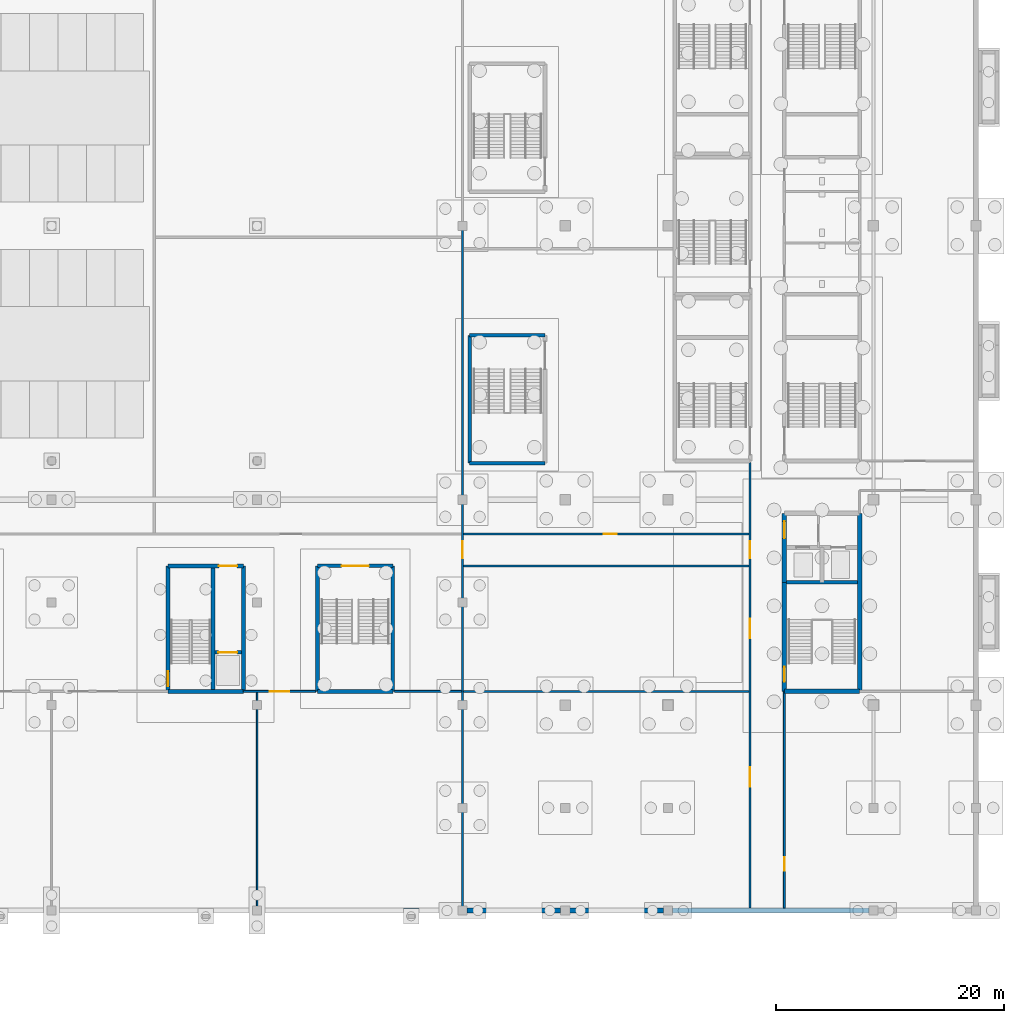
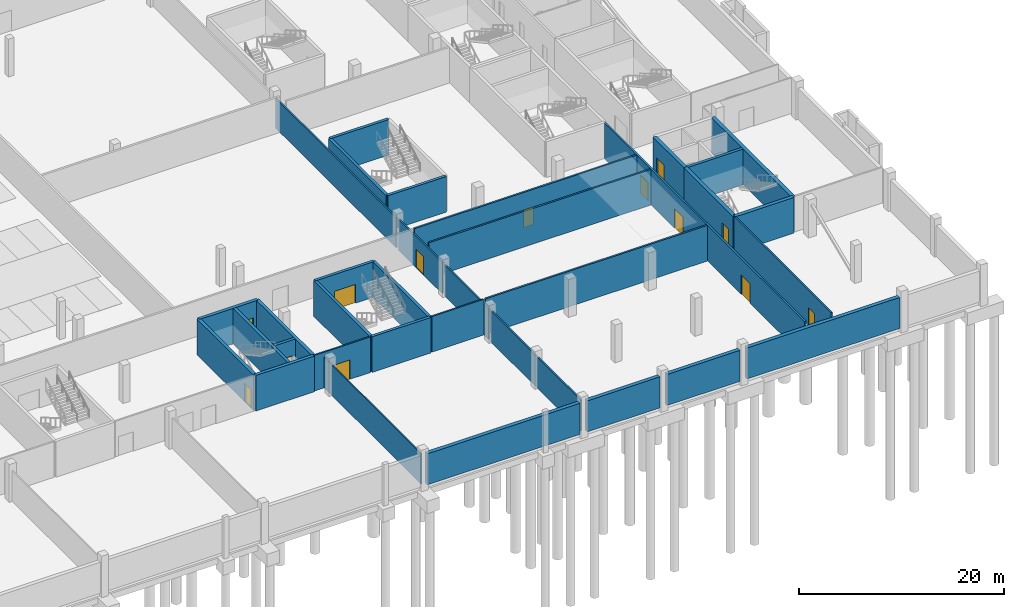
# One storey, part 21 of 46: 34 walls, 13 doors, 13 openings.
"""IFC4 building model written with IfcOpenShell, lengths in metres."""

from ifc_helpers import new_model, si_unit, direction, frame, frame_2d, origin, place, context, subcontext, project, spatial, rectangle, extrude, material, layer, layer_set, type_object, element, fill, save


model = new_model("IFC4")

# Units and contexts
model_context = context("Model", 3, precision=1e-05, world=origin(), true_north=direction((0.0, 1.0)))
body_context = subcontext(model_context, "Body", "Model", "MODEL_VIEW")
ifc_project = project(units=[si_unit("LENGTHUNIT", "METRE"), si_unit("AREAUNIT", "SQUARE_METRE"), si_unit("VOLUMEUNIT", "CUBIC_METRE"), si_unit("PLANEANGLEUNIT", "RADIAN"), si_unit("MASSUNIT", "GRAM", prefix="KILO")], contexts=[model_context])

# Site, building, storey
site_placement = place(None, origin())
site = spatial("IfcSite", under=ifc_project, at=site_placement, CompositionType="ELEMENT")
building_placement = place(site_placement, origin())
building = spatial("IfcBuilding", under=site, at=building_placement, Name="Kisiwana Market Hall", CompositionType="ELEMENT")
storey_placement = place(building_placement, frame((0.0, 0.0, -4.5)))
storey = spatial("IfcBuildingStorey", under=building, at=storey_placement, Name="B1", CompositionType="ELEMENT", Elevation=-4.5)

# Walls
ifc_material_1 = material(Name="Concrete C40/50", Category="concrete")
ifc_layer_1 = layer(ifc_material_1, 0.360107421875, Name="Waterproofed RC retaining wall")
ifc_material_2 = material(Name="Mineral wool insulation")
ifc_layer_2 = layer(ifc_material_2, 0.06005859375, Name="XPS drainage protection board")
ifc_layer_set_1 = layer_set([ifc_layer_1, ifc_layer_2], Name="WL-B1-RET-420")
wall_type_1 = type_object("IfcWallType", Name="WL-B1-RET-420", PredefinedType="STANDARD", material=ifc_layer_set_1)
wall_1_placement = place(storey_placement, frame((135.39208984375, 0.0, 0.0), z_axis=(0.0, 0.0, 1.0), x_axis=(1.0, 0.0, 0.0)))
element("IfcWall", 1, at=wall_1_placement, inside=storey, type_object=wall_type_1, Name="Exterior wall W-0164", PredefinedType="STANDARD", context=body_context, shape_type="SweptSolid", body=[
    extrude(rectangle(XDim=17.2158203125, YDim=0.419921875, at=frame_2d((8.60791015625, 0.0))), origin(), (0.0, 0.0, 1.0), 3.699951171875),
])
for number, where, z_axis, x_axis, name in (
    (2, (153.39208984375, 0.0, 0.0), (0.0, 0.0, 1.0), (1.0, 0.0, 0.0), "Exterior wall W-0165"),
    (3, (162.39208984375, 0.0, 0.0), (0.0, 0.0, 1.0), (1.0, 0.0, 0.0), "Exterior wall W-0166"),
):
    element("IfcWall", number, at=place(storey_placement, frame(where, z_axis=z_axis, x_axis=x_axis)), inside=storey, type_object=wall_type_1, Name=name, PredefinedType="STANDARD", context=body_context, shape_type="SweptSolid", body=[
        extrude(rectangle(XDim=8.2158203125, YDim=0.419921875, at=frame_2d((4.10791015625, 0.0))), origin(), (0.0, 0.0, 1.0), 3.699951171875),
    ])
wall_2_placement = place(storey_placement, frame((171.39208984375, 0.0, 0.0), z_axis=(0.0, 0.0, 1.0), x_axis=(1.0, 0.0, 0.0)))
element("IfcWall", 4, at=wall_2_placement, inside=storey, type_object=wall_type_1, Name="Exterior wall W-0167", PredefinedType="STANDARD", context=body_context, shape_type="SweptSolid", body=[
    extrude(rectangle(XDim=17.2158203125, YDim=0.419921875, at=frame_2d((8.60791015625, 0.0))), origin(), (0.0, 0.0, 1.0), 3.699951171875),
])
ifc_material_3 = material(Name="Masonry blockwork", Category="masonry")
ifc_layer_3 = layer(ifc_material_3, 0.199951171875, Name="Plastered fire compartment block wall")
ifc_layer_set_2 = layer_set([ifc_layer_3], Name="WL-COMP-200")
wall_type_2 = type_object("IfcWallType", Name="WL-COMP-200", PredefinedType="PARTITIONING", material=ifc_layer_set_2)
for number, where, z_axis, x_axis, name in (
    (5, (153.0849609375, 19.199951171875, 0.0), (0.0, 0.0, 1.0), (1.0, 0.0, 0.0), "Interior partition W-0251"),
    (6, (153.0849609375, 30.199951171875, 0.0), (0.0, 0.0, 1.0), (1.0, 0.0, 0.0), "Interior partition W-0252"),
):
    element("IfcWall", number, at=place(storey_placement, frame(where, z_axis=z_axis, x_axis=x_axis)), inside=storey, type_object=wall_type_2, Name=name, PredefinedType="PARTITIONING", context=body_context, shape_type="SweptSolid", body=[
        extrude(rectangle(XDim=25.01513671875, YDim=0.199951171875, at=frame_2d((12.507568359375, 0.0))), origin(), (0.0, 0.0, 1.0), 4.239990234375),
    ])

# Wall, opening, door
wall_3_placement = place(storey_placement, frame((153.0849609375, 33.0, 0.0), z_axis=(0.0, 0.0, 1.0), x_axis=(1.0, 0.0, 0.0)))
wall_3 = element("IfcWall", 7, at=wall_3_placement, inside=storey, type_object=wall_type_2, Name="Interior partition W-0253", PredefinedType="PARTITIONING", context=body_context, shape_type="SweptSolid", body=[
    extrude(rectangle(XDim=25.01513671875, YDim=0.199951171875, at=frame_2d((12.507568359375, 0.0))), origin(), (0.0, 0.0, 1.0), 4.239990234375),
])
opening_1_placement = place(wall_3_placement, frame((12.294921875, 0.0, 0.0)))
opening_1 = element("IfcOpeningElement", 8, at=opening_1_placement, cuts=wall_3, Name="Opening DR-B1-068", PredefinedType="OPENING", context=body_context, shape_type="SweptSolid", body=[
    extrude(rectangle(XDim=1.14990234375, YDim=2.14990234375, at=frame_2d((0.574951171875, 1.074951171875))), frame((0.0, 0.11181640625, 0.0), z_axis=(0.0, -1.0, 0.0), x_axis=(1.0, 0.0, 0.0)), (0.0, 0.0, 1.0), 0.223876953125),
])
ifc_material_4 = material(Name="Aluminium alloy 6063-T6", Category="aluminium")
door_type_1 = type_object("IfcDoorType", Name="DR-MEET-1150", OperationType="NOTDEFINED", PredefinedType="DOOR", material=ifc_material_4)
door_1_placement = place(opening_1_placement, origin())
door_1 = element("IfcDoor", 9, at=door_1_placement, inside=storey, type_object=door_type_1, Name="B1 E Lower Ground Shop C Door", OperationType="SINGLE_SWING_RIGHT", OverallHeight=2.14990234375, OverallWidth=1.14990234375, PredefinedType="DOOR", context=body_context, shape_type="SweptSolid", body=[
    extrude(rectangle(XDim=1.14990234375, YDim=2.14990234375, at=frame_2d((0.574951171875, 1.074951171875))), frame((0.0, 0.02490234375, 0.0), z_axis=(0.0, -1.0, 0.0), x_axis=(1.0, 0.0, 0.0)), (0.0, 0.0, 1.0), 0.050048828125),
])
fill(opening_1, door_1)

# Wall, openings, doors
wall_4_placement = place(storey_placement, frame((178.199951171875, 0.2099609375, 0.0), z_axis=(0.0, 0.0, 1.0), x_axis=(0.0, 1.0, 0.0)))
wall_4 = element("IfcWall", 10, at=wall_4_placement, inside=storey, type_object=wall_type_2, Name="Interior partition W-0258", PredefinedType="PARTITIONING", context=body_context, shape_type="SweptSolid", body=[
    extrude(rectangle(XDim=39.030029296875, YDim=0.199951171875, at=frame_2d((19.51513671875, 0.0))), origin(), (0.0, 0.0, 1.0), 4.239990234375),
])
opening_2_placement = place(wall_4_placement, frame((10.639892578125, 0.0, 0.0)))
opening_2 = element("IfcOpeningElement", 11, at=opening_2_placement, cuts=wall_4, Name="Opening DR-B1-069", PredefinedType="OPENING", context=body_context, shape_type="SweptSolid", body=[
    extrude(rectangle(XDim=1.699951171875, YDim=2.300048828125, at=frame_2d((0.85009765625, 1.14990234375))), frame((0.0, 0.11181640625, 0.0), z_axis=(0.0, -1.0, 0.0), x_axis=(1.0, 0.0, 0.0)), (0.0, 0.0, 1.0), 0.223876953125),
])
opening_3_placement = place(wall_4_placement, frame((23.639892578125, 0.0, 0.0)))
opening_3 = element("IfcOpeningElement", 12, at=opening_3_placement, cuts=wall_4, Name="Opening DR-B1-070", PredefinedType="OPENING", context=body_context, shape_type="SweptSolid", body=[
    extrude(rectangle(XDim=1.699951171875, YDim=2.300048828125, at=frame_2d((0.85009765625, 1.14990234375))), frame((0.0, 0.11181640625, 0.0), z_axis=(0.0, -1.0, 0.0), x_axis=(1.0, 0.0, 0.0)), (0.0, 0.0, 1.0), 0.223876953125),
])
opening_4_placement = place(wall_4_placement, frame((30.639892578125, 0.0, 0.0)))
opening_4 = element("IfcOpeningElement", 13, at=opening_4_placement, cuts=wall_4, Name="Opening DR-B1-071", PredefinedType="OPENING", context=body_context, shape_type="SweptSolid", body=[
    extrude(rectangle(XDim=1.5, YDim=2.199951171875, at=frame_2d((0.75, 1.10009765625))), frame((0.0, 0.11181640625, 0.0), z_axis=(0.0, -1.0, 0.0), x_axis=(1.0, 0.0, 0.0)), (0.0, 0.0, 1.0), 0.223876953125),
])
ifc_material_5 = material(Name="Steel S275", Category="steel")
door_type_2 = type_object("IfcDoorType", Name="DR-CORR-FD60-1500", OperationType="DOUBLE_DOOR_SINGLE_SWING", PredefinedType="DOOR", material=ifc_material_5)
door_2_placement = place(opening_4_placement, origin())
door_2 = element("IfcDoor", 14, at=door_2_placement, inside=storey, type_object=door_type_2, Name="B1 E South Concourse Link Corridor Door", OperationType="DOUBLE_DOOR_SINGLE_SWING", OverallHeight=2.199951171875, OverallWidth=1.5, PredefinedType="DOOR", context=body_context, shape_type="SweptSolid", body=[
    extrude(rectangle(XDim=1.5, YDim=2.199951171875, at=frame_2d((0.75, 1.10009765625))), frame((0.0, 0.02490234375, 0.0), z_axis=(0.0, -1.0, 0.0), x_axis=(1.0, 0.0, 0.0)), (0.0, 0.0, 1.0), 0.050048828125),
])
fill(opening_4, door_2)
ifc_material_6 = material(Name="Aluminium alloy 6063-T6", Category="aluminium")
door_type_3 = type_object("IfcDoorType", Name="DR-SHOP-1700", OperationType="DOUBLE_DOOR_SINGLE_SWING", PredefinedType="DOOR", material=ifc_material_6)
door_3_placement = place(opening_2_placement, origin())
door_3 = element("IfcDoor", 15, at=door_3_placement, inside=storey, type_object=door_type_3, Name="B1 E Lower Ground Shop A Door", OperationType="DOUBLE_DOOR_SINGLE_SWING", OverallHeight=2.300048828125, OverallWidth=1.699951171875, PredefinedType="DOOR", context=body_context, shape_type="SweptSolid", body=[
    extrude(rectangle(XDim=1.699951171875, YDim=2.300048828125, at=frame_2d((0.85009765625, 1.14990234375))), frame((0.0, 0.02490234375, 0.0), z_axis=(0.0, -1.0, 0.0), x_axis=(1.0, 0.0, 0.0)), (0.0, 0.0, 1.0), 0.050048828125),
])
fill(opening_2, door_3)
door_4_placement = place(opening_3_placement, origin())
door_4 = element("IfcDoor", 16, at=door_4_placement, inside=storey, type_object=door_type_3, Name="B1 E Lower Ground Shop B Door", OperationType="DOUBLE_DOOR_SINGLE_SWING", OverallHeight=2.300048828125, OverallWidth=1.699951171875, PredefinedType="DOOR", context=body_context, shape_type="SweptSolid", body=[
    extrude(rectangle(XDim=1.699951171875, YDim=2.300048828125, at=frame_2d((0.85009765625, 1.14990234375))), frame((0.0, 0.02490234375, 0.0), z_axis=(0.0, -1.0, 0.0), x_axis=(1.0, 0.0, 0.0)), (0.0, 0.0, 1.0), 0.050048828125),
])
fill(opening_3, door_4)

# Walls
ifc_material_7 = material(Name="Concrete C40/50", Category="concrete")
ifc_layer_4 = layer(ifc_material_7, 0.320068359375, Name="Reinforced concrete shaft wall")
ifc_layer_set_3 = layer_set([ifc_layer_4], Name="WL-CORE-320")
wall_type_3 = type_object("IfcWallType", Name="WL-CORE-320", PredefinedType="SHEAR", material=ifc_layer_set_3)
wall_5_placement = place(storey_placement, frame((181.39990234375, 28.760009765625, 0.0), z_axis=(0.0, 0.0, 1.0), x_axis=(1.0, 0.0, 0.0)))
element("IfcWall", 17, at=wall_5_placement, inside=storey, type_object=wall_type_3, Name="Core E2 shaft back shear wall W-0024", PredefinedType="SHEAR", context=body_context, shape_type="SweptSolid", body=[
    extrude(rectangle(XDim=6.2001953125, YDim=0.320068359375, at=frame_2d((3.10009765625, 0.0))), origin(), (0.0, 0.0, 1.0), 4.239990234375),
])
wall_6_placement = place(storey_placement, frame((131.139892578125, 19.3798828125, 0.0), z_axis=(0.0, 0.0, 1.0), x_axis=(0.0, 1.0, 0.0)))
element("IfcWall", 18, at=wall_6_placement, inside=storey, type_object=wall_type_3, Name="Core S2 shaft divider W-0046", PredefinedType="SHEAR", context=body_context, shape_type="SweptSolid", body=[
    extrude(rectangle(XDim=10.64013671875, YDim=0.320068359375, at=frame_2d((5.320068359375, 0.0))), origin(), (0.0, 0.0, 1.0), 4.239990234375),
])

# Wall, opening, door
wall_7_placement = place(storey_placement, frame((131.300048828125, 22.6298828125, 0.0), z_axis=(0.0, 0.0, 1.0), x_axis=(1.0, 0.0, 0.0)))
wall_7 = element("IfcWall", 19, at=wall_7_placement, inside=storey, type_object=wall_type_3, Name="Core S2 goods lift front wall W-0047", PredefinedType="SHEAR", context=body_context, shape_type="SweptSolid", body=[
    extrude(rectangle(XDim=2.320068359375, YDim=0.320068359375, at=frame_2d((1.16015625, 0.0))), origin(), (0.0, 0.0, 1.0), 4.239990234375),
])
opening_5_placement = place(wall_7_placement, frame((0.300048828125, 0.0, 0.0)))
opening_5 = element("IfcOpeningElement", 20, at=opening_5_placement, cuts=wall_7, Name="Opening LD-B1-009", PredefinedType="OPENING", context=body_context, shape_type="SweptSolid", body=[
    extrude(rectangle(XDim=1.64990234375, YDim=2.35009765625, at=frame_2d((0.824951171875, 1.175048828125))), frame((0.0, 0.171875, 0.0), z_axis=(0.0, -1.0, 0.0), x_axis=(1.0, 0.0, 0.0)), (0.0, 0.0, 1.0), 0.343994140625),
])
ifc_material_8 = material(Name="Steel S275", Category="steel")
door_type_4 = type_object("IfcDoorType", Name="DR-LIFT-GDS-1650", OperationType="DOUBLE_DOOR_SLIDING", PredefinedType="DOOR", material=ifc_material_8)
door_5_placement = place(opening_5_placement, origin())
door_5 = element("IfcDoor", 21, at=door_5_placement, inside=storey, type_object=door_type_4, Name="Lift Landing Door LG-01 (B1)", OperationType="DOUBLE_DOOR_SLIDING", OverallHeight=2.35009765625, OverallWidth=1.64990234375, PredefinedType="DOOR", context=body_context, shape_type="SweptSolid", body=[
    extrude(rectangle(XDim=1.64990234375, YDim=2.35009765625, at=frame_2d((0.824951171875, 1.175048828125))), frame((0.0, 0.02490234375, 0.0), z_axis=(0.0, -1.0, 0.0), x_axis=(1.0, 0.0, 0.0)), (0.0, 0.0, 1.0), 0.050048828125),
])
fill(opening_5, door_5)

# Walls
for number, where, z_axis, x_axis, name in (
    (22, (153.6298828125, 39.199951171875, 0.0), (0.0, 0.0, 1.0), (1.0, 0.0, 0.0), "Core E9 south shear wall W-0103"),
    (23, (153.6298828125, 50.39990234375, 0.0), (0.0, 0.0, 1.0), (1.0, 0.0, 0.0), "Core E9 north shear wall W-0104"),
):
    element("IfcWall", number, at=place(storey_placement, frame(where, z_axis=z_axis, x_axis=x_axis)), inside=storey, type_object=wall_type_3, Name=name, PredefinedType="SHEAR", context=body_context, shape_type="SweptSolid", body=[
        extrude(rectangle(XDim=6.60009765625, YDim=0.320068359375, at=frame_2d((3.300048828125, 0.0))), origin(), (0.0, 0.0, 1.0), 4.239990234375),
    ])
wall_8_placement = place(storey_placement, frame((153.6298828125, 39.199951171875, 0.0), z_axis=(0.0, 0.0, 1.0), x_axis=(0.0, 1.0, 0.0)))
element("IfcWall", 24, at=wall_8_placement, inside=storey, type_object=wall_type_3, Name="Core E9 outer shear wall W-0105", PredefinedType="SHEAR", context=body_context, shape_type="SweptSolid", body=[
    extrude(rectangle(XDim=11.199951171875, YDim=0.320068359375, at=frame_2d((5.60009765625, 0.0))), origin(), (0.0, 0.0, 1.0), 4.239990234375),
])
wall_9_placement = place(storey_placement, frame((140.300048828125, 19.199951171875, 0.0), z_axis=(0.0, 0.0, 1.0), x_axis=(1.0, 0.0, 0.0)))
element("IfcWall", 25, at=wall_9_placement, inside=storey, type_object=wall_type_3, Name="Core S6 outer shear wall W-0147", PredefinedType="SHEAR", context=body_context, shape_type="SweptSolid", body=[
    extrude(rectangle(XDim=6.599853515625, YDim=0.320068359375, at=frame_2d((3.2998046875, 0.0))), origin(), (0.0, 0.0, 1.0), 4.239990234375),
])

# Wall, opening, door
wall_10_placement = place(storey_placement, frame((140.300048828125, 30.199951171875, 0.0), z_axis=(0.0, 0.0, 1.0), x_axis=(1.0, 0.0, 0.0)))
wall_10 = element("IfcWall", 26, at=wall_10_placement, inside=storey, type_object=wall_type_3, Name="Core S6 corridor shear wall W-0148", PredefinedType="SHEAR", context=body_context, shape_type="SweptSolid", body=[
    extrude(rectangle(XDim=6.599853515625, YDim=0.320068359375, at=frame_2d((3.2998046875, 0.0))), origin(), (0.0, 0.0, 1.0), 4.239990234375),
])
opening_6_placement = place(wall_10_placement, frame((2.10009765625, 0.0, 0.0)))
opening_6 = element("IfcOpeningElement", 27, at=opening_6_placement, cuts=wall_10, Name="Opening DR-B1-039", PredefinedType="OPENING", context=body_context, shape_type="SweptSolid", body=[
    extrude(rectangle(XDim=2.39990234375, YDim=2.25, at=frame_2d((1.199951171875, 1.125))), frame((0.0, 0.171875, 0.0), z_axis=(0.0, -1.0, 0.0), x_axis=(1.0, 0.0, 0.0)), (0.0, 0.0, 1.0), 0.343994140625),
])
ifc_material_9 = material(Name="Steel S275", Category="steel")
door_type_5 = type_object("IfcDoorType", Name="DR-STAIR-FD120-2400", OperationType="DOUBLE_DOOR_SINGLE_SWING", PredefinedType="DOOR", material=ifc_material_9)
door_6_placement = place(opening_6_placement, frame((2.39990234375, 0.0, 0.0), z_axis=(0.0, 0.0, 1.0), x_axis=(-1.0, 0.0, 0.0)))
door_6 = element("IfcDoor", 28, at=door_6_placement, inside=storey, type_object=door_type_5, Name="Escape Stair S6 Fire Door (B1)", OperationType="DOUBLE_DOOR_SINGLE_SWING", OverallHeight=2.25, OverallWidth=2.39990234375, PredefinedType="DOOR", context=body_context, shape_type="SweptSolid", body=[
    extrude(rectangle(XDim=2.39990234375, YDim=2.25, at=frame_2d((1.199951171875, 1.125))), frame((0.0, 0.02490234375, 0.0), z_axis=(0.0, -1.0, 0.0), x_axis=(1.0, 0.0, 0.0)), (0.0, 0.0, 1.0), 0.050048828125),
])
fill(opening_6, door_6)

# Walls
for number, where, z_axis, x_axis, name in (
    (29, (140.300048828125, 19.199951171875, 0.0), (0.0, 0.0, 1.0), (0.0, 1.0, 0.0), "Core S6 west shear wall W-0149"),
    (30, (146.89990234375, 19.199951171875, 0.0), (0.0, 0.0, 1.0), (0.0, 1.0, 0.0), "Core S6 east shear wall W-0150"),
):
    element("IfcWall", number, at=place(storey_placement, frame(where, z_axis=z_axis, x_axis=x_axis)), inside=storey, type_object=wall_type_3, Name=name, PredefinedType="SHEAR", context=body_context, shape_type="SweptSolid", body=[
        extrude(rectangle(XDim=11.0, YDim=0.320068359375, at=frame_2d((5.5, 0.0))), origin(), (0.0, 0.0, 1.0), 4.239990234375),
    ])
ifc_material_10 = material(Name="Concrete C40/50", Category="concrete")
ifc_layer_5 = layer(ifc_material_10, 0.360107421875, Name="Reinforced concrete core wall")
ifc_layer_set_4 = layer_set([ifc_layer_5], Name="WL-CORE-360")
wall_type_4 = type_object("IfcWallType", Name="WL-CORE-360", PredefinedType="SHEAR", material=ifc_layer_set_4)
wall_11_placement = place(storey_placement, frame((127.199951171875, 19.199951171875, 0.0), z_axis=(0.0, 0.0, 1.0), x_axis=(1.0, 0.0, 0.0)))
element("IfcWall", 31, at=wall_11_placement, inside=storey, type_object=wall_type_4, Name="Core S2 south wall W-0042", PredefinedType="SHEAR", context=body_context, shape_type="SweptSolid", body=[
    extrude(rectangle(XDim=6.60009765625, YDim=0.360107421875, at=frame_2d((3.300048828125, 0.0))), origin(), (0.0, 0.0, 1.0), 4.239990234375),
])

# Wall, opening, door
wall_12_placement = place(storey_placement, frame((127.199951171875, 30.199951171875, 0.0), z_axis=(0.0, 0.0, 1.0), x_axis=(1.0, 0.0, 0.0)))
wall_12 = element("IfcWall", 32, at=wall_12_placement, inside=storey, type_object=wall_type_4, Name="Core S2 north wall W-0043", PredefinedType="SHEAR", context=body_context, shape_type="SweptSolid", body=[
    extrude(rectangle(XDim=6.60009765625, YDim=0.360107421875, at=frame_2d((3.300048828125, 0.0))), origin(), (0.0, 0.0, 1.0), 4.239990234375),
])
opening_7_placement = place(wall_12_placement, frame((4.449951171875, 0.0, 0.0)))
opening_7 = element("IfcOpeningElement", 33, at=opening_7_placement, cuts=wall_12, Name="Opening DR-B1-015", PredefinedType="OPENING", context=body_context, shape_type="SweptSolid", body=[
    extrude(rectangle(XDim=1.60009765625, YDim=2.300048828125, at=frame_2d((0.800048828125, 1.14990234375))), frame((0.0, 0.19189453125, 0.0), z_axis=(0.0, -1.0, 0.0), x_axis=(1.0, 0.0, 0.0)), (0.0, 0.0, 1.0), 0.384033203125),
])
ifc_material_11 = material(Name="Steel S275", Category="steel")
door_type_6 = type_object("IfcDoorType", Name="DR-PLANT-FD120-1600", OperationType="DOUBLE_DOOR_SINGLE_SWING", PredefinedType="DOOR", material=ifc_material_11)
door_7_placement = place(opening_7_placement, origin())
door_7 = element("IfcDoor", 34, at=door_7_placement, inside=storey, type_object=door_type_6, Name="Goods Lift Lobby S2 Door (B1)", OperationType="DOUBLE_DOOR_SINGLE_SWING", OverallHeight=2.300048828125, OverallWidth=1.60009765625, PredefinedType="DOOR", context=body_context, shape_type="SweptSolid", body=[
    extrude(rectangle(XDim=1.60009765625, YDim=2.300048828125, at=frame_2d((0.800048828125, 1.14990234375))), frame((0.0, 0.02490234375, 0.0), z_axis=(0.0, -1.0, 0.0), x_axis=(1.0, 0.0, 0.0)), (0.0, 0.0, 1.0), 0.050048828125),
])
fill(opening_7, door_7)

wall_13_placement = place(storey_placement, frame((127.199951171875, 19.199951171875, 0.0), z_axis=(0.0, 0.0, 1.0), x_axis=(0.0, 1.0, 0.0)))
wall_13 = element("IfcWall", 35, at=wall_13_placement, inside=storey, type_object=wall_type_4, Name="Core S2 west wall W-0044", PredefinedType="SHEAR", context=body_context, shape_type="SweptSolid", body=[
    extrude(rectangle(XDim=11.0, YDim=0.360107421875, at=frame_2d((5.5, 0.0))), origin(), (0.0, 0.0, 1.0), 4.239990234375),
])
opening_8_placement = place(wall_13_placement, frame((0.449951171875, 0.0, 0.0)))
opening_8 = element("IfcOpeningElement", 36, at=opening_8_placement, cuts=wall_13, Name="Opening DR-B1-014", PredefinedType="OPENING", context=body_context, shape_type="SweptSolid", body=[
    extrude(rectangle(XDim=1.300048828125, YDim=2.199951171875, at=frame_2d((0.64990234375, 1.10009765625))), frame((0.0, 0.19189453125, 0.0), z_axis=(0.0, -1.0, 0.0), x_axis=(1.0, 0.0, 0.0)), (0.0, 0.0, 1.0), 0.384033203125),
])
ifc_material_12 = material(Name="Steel S275", Category="steel")
door_type_7 = type_object("IfcDoorType", Name="DR-STAIR-FD120-1300", OperationType="NOTDEFINED", PredefinedType="DOOR", material=ifc_material_12)
door_8_placement = place(opening_8_placement, origin())
door_8 = element("IfcDoor", 37, at=door_8_placement, inside=storey, type_object=door_type_7, Name="Podium Escape Stair S2 Fire Door (B1)", OperationType="SINGLE_SWING_LEFT", OverallHeight=2.199951171875, OverallWidth=1.300048828125, PredefinedType="DOOR", context=body_context, shape_type="SweptSolid", body=[
    extrude(rectangle(XDim=1.300048828125, YDim=2.199951171875, at=frame_2d((0.64990234375, 1.10009765625))), frame((0.0, 0.02490234375, 0.0), z_axis=(0.0, -1.0, 0.0), x_axis=(1.0, 0.0, 0.0)), (0.0, 0.0, 1.0), 0.050048828125),
])
fill(opening_8, door_8)

# Walls
wall_14_placement = place(storey_placement, frame((133.800048828125, 19.199951171875, 0.0), z_axis=(0.0, 0.0, 1.0), x_axis=(0.0, 1.0, 0.0)))
element("IfcWall", 38, at=wall_14_placement, inside=storey, type_object=wall_type_4, Name="Core S2 east wall W-0045", PredefinedType="SHEAR", context=body_context, shape_type="SweptSolid", body=[
    extrude(rectangle(XDim=11.0, YDim=0.360107421875, at=frame_2d((5.5, 0.0))), origin(), (0.0, 0.0, 1.0), 4.239990234375),
])
ifc_material_13 = material(Name="Concrete C40/50", Category="concrete")
ifc_layer_6 = layer(ifc_material_13, 0.39990234375, Name="Reinforced concrete core wall")
ifc_layer_set_5 = layer_set([ifc_layer_6], Name="WL-CORE-400")
wall_type_5 = type_object("IfcWallType", Name="WL-CORE-400", PredefinedType="SHEAR", material=ifc_layer_set_5)
wall_15_placement = place(storey_placement, frame((181.199951171875, 19.199951171875, 0.0), z_axis=(0.0, 0.0, 1.0), x_axis=(1.0, 0.0, 0.0)))
element("IfcWall", 39, at=wall_15_placement, inside=storey, type_object=wall_type_5, Name="Core E2 south shear wall W-0019", PredefinedType="SHEAR", context=body_context, shape_type="SweptSolid", body=[
    extrude(rectangle(XDim=6.60009765625, YDim=0.39990234375, at=frame_2d((3.300048828125, 0.0))), origin(), (0.0, 0.0, 1.0), 4.239990234375),
])
wall_16_placement = place(storey_placement, frame((187.800048828125, 19.199951171875, 0.0), z_axis=(0.0, 0.0, 1.0), x_axis=(0.0, 1.0, 0.0)))
element("IfcWall", 40, at=wall_16_placement, inside=storey, type_object=wall_type_5, Name="Core E2 outer shear wall W-0021", PredefinedType="SHEAR", context=body_context, shape_type="SweptSolid", body=[
    extrude(rectangle(XDim=15.60009765625, YDim=0.39990234375, at=frame_2d((7.800048828125, 0.0))), origin(), (0.0, 0.0, 1.0), 4.239990234375),
])

# Wall, opening, door
wall_17_placement = place(storey_placement, frame((181.199951171875, 19.199951171875, 0.0), z_axis=(0.0, 0.0, 1.0), x_axis=(0.0, 1.0, 0.0)))
wall_17 = element("IfcWall", 41, at=wall_17_placement, inside=storey, type_object=wall_type_5, Name="Core E2 stair corridor shear wall W-0022", PredefinedType="SHEAR", context=body_context, shape_type="SweptSolid", body=[
    extrude(rectangle(XDim=9.56005859375, YDim=0.39990234375, at=frame_2d((4.780029296875, 0.0))), origin(), (0.0, 0.0, 1.0), 4.239990234375),
])
opening_9_placement = place(wall_17_placement, frame((0.85009765625, 0.0, 0.0)))
opening_9 = element("IfcOpeningElement", 42, at=opening_9_placement, cuts=wall_17, Name="Opening DR-B1-007", PredefinedType="OPENING", context=body_context, shape_type="SweptSolid", body=[
    extrude(rectangle(XDim=1.300048828125, YDim=2.199951171875, at=frame_2d((0.64990234375, 1.10009765625))), frame((0.0, 0.2119140625, 0.0), z_axis=(0.0, -1.0, 0.0), x_axis=(1.0, 0.0, 0.0)), (0.0, 0.0, 1.0), 0.423828125),
])
door_9_placement = place(opening_9_placement, frame((1.300048828125, 0.0, 0.0), z_axis=(0.0, 0.0, 1.0), x_axis=(-1.0, 0.0, 0.0)))
door_9 = element("IfcDoor", 43, at=door_9_placement, inside=storey, type_object=door_type_7, Name="Escape Stair E2 Fire Door (B1)", OperationType="SINGLE_SWING_RIGHT", OverallHeight=2.199951171875, OverallWidth=1.300048828125, PredefinedType="DOOR", context=body_context, shape_type="SweptSolid", body=[
    extrude(rectangle(XDim=1.300048828125, YDim=2.199951171875, at=frame_2d((0.64990234375, 1.10009765625))), frame((0.0, 0.02490234375, 0.0), z_axis=(0.0, -1.0, 0.0), x_axis=(1.0, 0.0, 0.0)), (0.0, 0.0, 1.0), 0.050048828125),
])
fill(opening_9, door_9)

wall_18_placement = place(storey_placement, frame((181.199951171875, 28.760009765625, 0.0), z_axis=(0.0, 0.0, 1.0), x_axis=(0.0, 1.0, 0.0)))
wall_18 = element("IfcWall", 44, at=wall_18_placement, inside=storey, type_object=wall_type_5, Name="Core E2 lobby corridor shear wall W-0023", PredefinedType="SHEAR", context=body_context, shape_type="SweptSolid", body=[
    extrude(rectangle(XDim=6.0400390625, YDim=0.39990234375, at=frame_2d((3.02001953125, 0.0))), origin(), (0.0, 0.0, 1.0), 4.239990234375),
])
opening_10_placement = place(wall_18_placement, frame((3.85009765625, 0.0, 0.0)))
opening_10 = element("IfcOpeningElement", 45, at=opening_10_placement, cuts=wall_18, Name="Opening DR-B1-008", PredefinedType="OPENING", context=body_context, shape_type="SweptSolid", body=[
    extrude(rectangle(XDim=1.5, YDim=2.199951171875, at=frame_2d((0.75, 1.10009765625))), frame((0.0, 0.2119140625, 0.0), z_axis=(0.0, -1.0, 0.0), x_axis=(1.0, 0.0, 0.0)), (0.0, 0.0, 1.0), 0.423828125),
])
door_10_placement = place(opening_10_placement, origin())
door_10 = element("IfcDoor", 46, at=door_10_placement, inside=storey, type_object=door_type_2, Name="Passenger Lift Lobby E2 Smoke Door (B1)", OperationType="DOUBLE_DOOR_SINGLE_SWING", OverallHeight=2.199951171875, OverallWidth=1.5, PredefinedType="DOOR", context=body_context, shape_type="SweptSolid", body=[
    extrude(rectangle(XDim=1.5, YDim=2.199951171875, at=frame_2d((0.75, 1.10009765625))), frame((0.0, 0.02490234375, 0.0), z_axis=(0.0, -1.0, 0.0), x_axis=(1.0, 0.0, 0.0)), (0.0, 0.0, 1.0), 0.050048828125),
])
fill(opening_10, door_10)

ifc_material_14 = material(Name="Masonry blockwork", Category="masonry")
ifc_layer_7 = layer(ifc_material_14, 0.169921875, Name="Protected corridor partition")
ifc_layer_set_6 = layer_set([ifc_layer_7], Name="WL-CORR-170")
wall_type_6 = type_object("IfcWallType", Name="WL-CORR-170", PredefinedType="PARTITIONING", material=ifc_layer_set_6)
wall_19_placement = place(storey_placement, frame((181.199951171875, 0.2099609375, 0.0), z_axis=(0.0, 0.0, 1.0), x_axis=(0.0, 1.0, 0.0)))
wall_19 = element("IfcWall", 47, at=wall_19_placement, inside=storey, type_object=wall_type_6, Name="Interior partition W-0249", PredefinedType="PARTITIONING", context=body_context, shape_type="SweptSolid", body=[
    extrude(rectangle(XDim=18.989990234375, YDim=0.169921875, at=frame_2d((9.4951171875, 0.0))), origin(), (0.0, 0.0, 1.0), 4.239990234375),
])
opening_11_placement = place(wall_19_placement, frame((3.300048828125, 0.0, 0.0)))
opening_11 = element("IfcOpeningElement", 48, at=opening_11_placement, cuts=wall_19, Name="Opening DR-B1-066", PredefinedType="OPENING", context=body_context, shape_type="SweptSolid", body=[
    extrude(rectangle(XDim=1.14990234375, YDim=2.14990234375, at=frame_2d((0.574951171875, 1.074951171875))), frame((0.0, 0.096923828125, 0.0), z_axis=(0.0, -1.0, 0.0), x_axis=(1.0, 0.0, 0.0)), (0.0, 0.0, 1.0), 0.19384765625),
])
door_11_placement = place(opening_11_placement, frame((1.14990234375, 0.0, 0.0), z_axis=(0.0, 0.0, 1.0), x_axis=(-1.0, 0.0, 0.0)))
door_11 = element("IfcDoor", 49, at=door_11_placement, inside=storey, type_object=door_type_1, Name="B1 E Retail Shop South Door", OperationType="SINGLE_SWING_RIGHT", OverallHeight=2.14990234375, OverallWidth=1.14990234375, PredefinedType="DOOR", context=body_context, shape_type="SweptSolid", body=[
    extrude(rectangle(XDim=1.14990234375, YDim=2.14990234375, at=frame_2d((0.574951171875, 1.074951171875))), frame((0.0, 0.02490234375, 0.0), z_axis=(0.0, -1.0, 0.0), x_axis=(1.0, 0.0, 0.0)), (0.0, 0.0, 1.0), 0.050048828125),
])
fill(opening_11, door_11)

# Walls
wall_20_placement = place(storey_placement, frame((153.0, 0.219970703125, 0.0), z_axis=(0.0, 0.0, 1.0), x_axis=(0.0, 1.0, 0.0)))
element("IfcWall", 50, at=wall_20_placement, inside=storey, type_object=wall_type_6, Name="Interior partition W-0260", PredefinedType="PARTITIONING", context=body_context, shape_type="SweptSolid", body=[
    extrude(rectangle(XDim=17.56005859375, YDim=0.169921875, at=frame_2d((8.780029296875, 0.0))), origin(), (0.0, 0.0, 1.0), 3.706787109375),
])
wall_21_placement = place(storey_placement, frame((153.0, 18.219970703125, 0.0), z_axis=(0.0, 0.0, 1.0), x_axis=(0.0, 1.0, 0.0)))
element("IfcWall", 51, at=wall_21_placement, inside=storey, type_object=wall_type_6, Name="Interior partition W-0261", PredefinedType="PARTITIONING", context=body_context, shape_type="SweptSolid", body=[
    extrude(rectangle(XDim=8.56005859375, YDim=0.169921875, at=frame_2d((4.280029296875, 0.0))), origin(), (0.0, 0.0, 1.0), 3.706787109375),
])

# Wall, opening, door
wall_22_placement = place(storey_placement, frame((153.0, 27.219970703125, 0.0), z_axis=(0.0, 0.0, 1.0), x_axis=(0.0, 1.0, 0.0)))
wall_22 = element("IfcWall", 52, at=wall_22_placement, inside=storey, type_object=wall_type_6, Name="Interior partition W-0262", PredefinedType="PARTITIONING", context=body_context, shape_type="SweptSolid", body=[
    extrude(rectangle(XDim=8.56005859375, YDim=0.169921875, at=frame_2d((4.280029296875, 0.0))), origin(), (0.0, 0.0, 1.0), 3.706787109375),
])
opening_12_placement = place(wall_22_placement, frame((3.6298828125, 0.0, 0.0)))
opening_12 = element("IfcOpeningElement", 53, at=opening_12_placement, cuts=wall_22, Name="Opening DR-B1-077", PredefinedType="OPENING", context=body_context, shape_type="SweptSolid", body=[
    extrude(rectangle(XDim=1.5, YDim=2.199951171875, at=frame_2d((0.75, 1.10009765625))), frame((0.0, 0.096923828125, 0.0), z_axis=(0.0, -1.0, 0.0), x_axis=(1.0, 0.0, 0.0)), (0.0, 0.0, 1.0), 0.19384765625),
])
door_12_placement = place(opening_12_placement, origin())
door_12 = element("IfcDoor", 54, at=door_12_placement, inside=storey, type_object=door_type_2, Name="B1 E South Spine Link Door", OperationType="DOUBLE_DOOR_SINGLE_SWING", OverallHeight=2.199951171875, OverallWidth=1.5, PredefinedType="DOOR", context=body_context, shape_type="SweptSolid", body=[
    extrude(rectangle(XDim=1.5, YDim=2.199951171875, at=frame_2d((0.75, 1.10009765625))), frame((0.0, 0.02490234375, 0.0), z_axis=(0.0, -1.0, 0.0), x_axis=(1.0, 0.0, 0.0)), (0.0, 0.0, 1.0), 0.050048828125),
])
fill(opening_12, door_12)

# Wall
wall_23_placement = place(storey_placement, frame((153.0, 36.219970703125, 0.0), z_axis=(0.0, 0.0, 1.0), x_axis=(0.0, 1.0, 0.0)))
element("IfcWall", 55, at=wall_23_placement, inside=storey, type_object=wall_type_6, Name="Interior partition W-0263", PredefinedType="PARTITIONING", context=body_context, shape_type="SweptSolid", body=[
    extrude(rectangle(XDim=23.56005859375, YDim=0.169921875, at=frame_2d((11.780029296875, 0.0))), origin(), (0.0, 0.0, 1.0), 3.556396484375),
])

# Wall, opening, door
wall_24_placement = place(storey_placement, frame((133.800048828125, 19.199951171875, 0.0), z_axis=(0.0, 0.0, 1.0), x_axis=(1.0, 0.0, 0.0)))
wall_24 = element("IfcWall", 56, at=wall_24_placement, inside=storey, type_object=wall_type_6, Name="Interior partition W-0278", PredefinedType="PARTITIONING", context=body_context, shape_type="SweptSolid", body=[
    extrude(rectangle(XDim=6.33984375, YDim=0.169921875, at=frame_2d((3.169921875, 0.0))), origin(), (0.0, 0.0, 1.0), 4.239990234375),
])
opening_13_placement = place(wall_24_placement, frame((2.320068359375, 0.0, 0.0)))
opening_13 = element("IfcOpeningElement", 57, at=opening_13_placement, cuts=wall_24, Name="Opening DR-B1-084", PredefinedType="OPENING", context=body_context, shape_type="SweptSolid", body=[
    extrude(rectangle(XDim=1.699951171875, YDim=2.300048828125, at=frame_2d((0.85009765625, 1.14990234375))), frame((0.0, 0.096923828125, 0.0), z_axis=(0.0, -1.0, 0.0), x_axis=(1.0, 0.0, 0.0)), (0.0, 0.0, 1.0), 0.19384765625),
])
door_13_placement = place(opening_13_placement, frame((1.699951171875, 0.0, 0.0), z_axis=(0.0, 0.0, 1.0), x_axis=(-1.0, 0.0, 0.0)))
door_13 = element("IfcDoor", 58, at=door_13_placement, inside=storey, type_object=door_type_3, Name="B1 Shop 06 Door", OperationType="DOUBLE_DOOR_SINGLE_SWING", OverallHeight=2.300048828125, OverallWidth=1.699951171875, PredefinedType="DOOR", context=body_context, shape_type="SweptSolid", body=[
    extrude(rectangle(XDim=1.699951171875, YDim=2.300048828125, at=frame_2d((0.85009765625, 1.14990234375))), frame((0.0, 0.02490234375, 0.0), z_axis=(0.0, -1.0, 0.0), x_axis=(1.0, 0.0, 0.0)), (0.0, 0.0, 1.0), 0.050048828125),
])
fill(opening_13, door_13)

# Walls
wall_25_placement = place(storey_placement, frame((147.06005859375, 19.199951171875, 0.0), z_axis=(0.0, 0.0, 1.0), x_axis=(1.0, 0.0, 0.0)))
element("IfcWall", 59, at=wall_25_placement, inside=storey, type_object=wall_type_6, Name="Interior partition W-0279", PredefinedType="PARTITIONING", context=body_context, shape_type="SweptSolid", body=[
    extrude(rectangle(XDim=5.85498046875, YDim=0.169921875, at=frame_2d((2.927490234375, 0.0))), origin(), (0.0, 0.0, 1.0), 4.239990234375),
])
ifc_material_15 = material(Name="Gypsum plasterboard")
ifc_layer_8 = layer(ifc_material_15, 0.125, Name="Double gypsum board + acoustic stud")
ifc_layer_set_7 = layer_set([ifc_layer_8], Name="WL-OFF-125")
wall_type_7 = type_object("IfcWallType", Name="WL-OFF-125", PredefinedType="PARTITIONING", material=ifc_layer_set_7)
wall_26_placement = place(storey_placement, frame((135.0, 0.2099609375, 0.0), z_axis=(0.0, 0.0, 1.0), x_axis=(0.0, 1.0, 0.0)))
element("IfcWall", 60, at=wall_26_placement, inside=storey, type_object=wall_type_7, Name="Interior partition W-0271", PredefinedType="PARTITIONING", context=body_context, shape_type="SweptSolid", body=[
    extrude(rectangle(XDim=18.989990234375, YDim=0.125, at=frame_2d((9.4951171875, 0.0))), origin(), (0.0, 0.0, 1.0), 3.627685546875),
])

save(model, "model.ifc")
